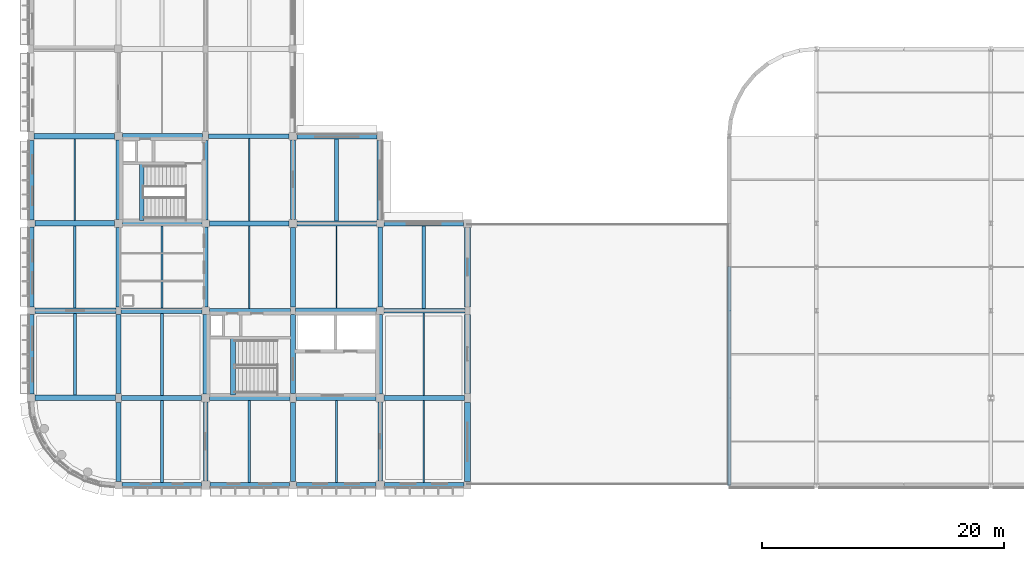
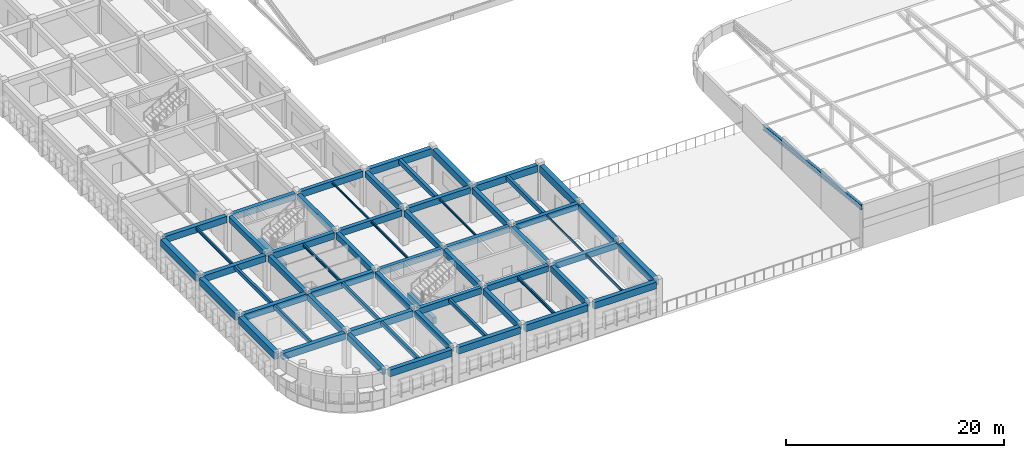
# One storey, part 17 of 103: 62 beams, 1 member.
"""IFC4 building model written with IfcOpenShell, lengths in metres."""

from ifc_helpers import new_model, si_unit, direction, frame, origin, origin_2d, place, context, subcontext, project, spatial, rectangle, i_section, extrude, material, material_profile, profile_set, type_object, element, save


model = new_model("IFC4")

# Units and contexts
model_context = context("Model", 3, precision=1e-05, world=origin(), true_north=direction((0.0, 1.0)))
body_context = subcontext(model_context, "Body", "Model", "MODEL_VIEW")
ifc_project = project(units=[si_unit("LENGTHUNIT", "METRE"), si_unit("AREAUNIT", "SQUARE_METRE"), si_unit("VOLUMEUNIT", "CUBIC_METRE"), si_unit("PLANEANGLEUNIT", "RADIAN"), si_unit("MASSUNIT", "GRAM", prefix="KILO")], contexts=[model_context])

# Site, building, storey
site_placement = place(None, origin())
site = spatial("IfcSite", under=ifc_project, at=site_placement, CompositionType="ELEMENT")
building_placement = place(site_placement, origin())
building = spatial("IfcBuilding", under=site, at=building_placement, Name="Thalmaran Polytechnic", CompositionType="ELEMENT")
storey_placement = place(building_placement, frame((0.0, 0.0, 14.39990234375)))
storey = spatial("IfcBuildingStorey", under=building, at=storey_placement, Name="L03", CompositionType="ELEMENT", Elevation=14.39990234375)

# Beams
ifc_material_1 = material(Name="Concrete C40/50", Category="concrete")
ifc_material_profile_1 = material_profile(ifc_material_1, rectangle(XDim=0.449951171875, YDim=0.72509765625, at=origin_2d()), Name="RC 450x725")
ifc_profile_set_1 = profile_set([ifc_material_profile_1], Name="Concrete C40/50")
beam_type_1 = type_object("IfcBeamType", Name="BM-RC04", PredefinedType="BEAM", material=ifc_profile_set_1)
beam_1_placement = place(storey_placement, frame((0.324951171875, 7.199951171875, 3.57763671875), z_axis=(1.0, 0.0, 0.0), x_axis=(0.0, 1.0, 0.0)))
element("IfcBeam", 1, at=beam_1_placement, inside=storey, type_object=beam_type_1, Name="Grid Beam B04 L03 X(0,1)", PredefinedType="BEAM", context=body_context, shape_type="SweptSolid", body=[
    extrude(rectangle(XDim=0.449951171875, YDim=0.72509765625, at=origin_2d()), origin(), (0.0, 0.0, 1.0), 6.625),
])
beam_2_placement = place(storey_placement, frame((0.31005859375, 14.39990234375, 3.57763671875), z_axis=(1.0, 0.0, 0.0), x_axis=(0.0, 1.0, 0.0)))
element("IfcBeam", 2, at=beam_2_placement, inside=storey, type_object=beam_type_1, Name="Grid Beam B04 L03 X(0,2)", PredefinedType="BEAM", context=body_context, shape_type="SweptSolid", body=[
    extrude(rectangle(XDim=0.449951171875, YDim=0.72509765625, at=origin_2d()), origin(), (0.0, 0.0, 1.0), 6.679931640625),
])
beam_3_placement = place(storey_placement, frame((0.300048828125, 21.60009765625, 3.57763671875), z_axis=(1.0, 0.0, 0.0), x_axis=(0.0, 1.0, 0.0)))
element("IfcBeam", 3, at=beam_3_placement, inside=storey, type_object=beam_type_1, Name="Grid Beam B04 L03 X(0,3)", PredefinedType="BEAM", context=body_context, shape_type="SweptSolid", body=[
    extrude(rectangle(XDim=0.449951171875, YDim=0.72509765625, at=origin_2d()), origin(), (0.0, 0.0, 1.0), 6.56005859375),
])
beam_4_placement = place(storey_placement, frame((0.25, 28.800048828125, 3.57763671875), z_axis=(1.0, 0.0, 0.0), x_axis=(0.0, 1.0, 0.0)))
element("IfcBeam", 4, at=beam_4_placement, inside=storey, type_object=beam_type_1, Name="Grid Beam B04 L03 X(0,4)", PredefinedType="BEAM", context=body_context, shape_type="SweptSolid", body=[
    extrude(rectangle(XDim=0.449951171875, YDim=0.72509765625, at=origin_2d()), origin(), (0.0, 0.0, 1.0), 6.625),
])
ifc_material_profile_2 = material_profile(ifc_material_1, rectangle(XDim=0.39990234375, YDim=0.699951171875, at=origin_2d()), Name="RC 400x700")
ifc_profile_set_2 = profile_set([ifc_material_profile_2], Name="Concrete C40/50")
beam_type_2 = type_object("IfcBeamType", Name="BM-RC05", PredefinedType="BEAM", material=ifc_profile_set_2)
beam_5_placement = place(storey_placement, frame((14.72509765625, 7.199951171875, 3.590087890625), z_axis=(1.0, 0.0, 0.0), x_axis=(0.0, 1.0, 0.0)))
element("IfcBeam", 5, at=beam_5_placement, inside=storey, type_object=beam_type_2, Name="Grid Beam B05 L03 X(2,1)", PredefinedType="BEAM", context=body_context, shape_type="SweptSolid", body=[
    extrude(rectangle(XDim=0.39990234375, YDim=0.699951171875, at=origin_2d()), origin(), (0.0, 0.0, 1.0), 6.625),
])
beam_6_placement = place(storey_placement, frame((14.7099609375, 14.39990234375, 3.590087890625), z_axis=(1.0, 0.0, 0.0), x_axis=(0.0, 1.0, 0.0)))
element("IfcBeam", 6, at=beam_6_placement, inside=storey, type_object=beam_type_2, Name="Grid Beam B05 L03 X(2,2)", PredefinedType="BEAM", context=body_context, shape_type="SweptSolid", body=[
    extrude(rectangle(XDim=0.39990234375, YDim=0.699951171875, at=origin_2d()), origin(), (0.0, 0.0, 1.0), 6.679931640625),
])
beam_7_placement = place(storey_placement, frame((14.699951171875, 21.60009765625, 3.590087890625), z_axis=(1.0, 0.0, 0.0), x_axis=(0.0, 1.0, 0.0)))
element("IfcBeam", 7, at=beam_7_placement, inside=storey, type_object=beam_type_2, Name="Grid Beam B05 L03 X(2,3)", PredefinedType="BEAM", context=body_context, shape_type="SweptSolid", body=[
    extrude(rectangle(XDim=0.39990234375, YDim=0.699951171875, at=origin_2d()), origin(), (0.0, 0.0, 1.0), 6.56005859375),
])
beam_8_placement = place(storey_placement, frame((14.64990234375, 28.800048828125, 3.590087890625), z_axis=(1.0, 0.0, 0.0), x_axis=(0.0, 1.0, 0.0)))
element("IfcBeam", 8, at=beam_8_placement, inside=storey, type_object=beam_type_2, Name="Grid Beam B05 L03 X(2,4)", PredefinedType="BEAM", context=body_context, shape_type="SweptSolid", body=[
    extrude(rectangle(XDim=0.39990234375, YDim=0.699951171875, at=origin_2d()), origin(), (0.0, 0.0, 1.0), 6.625),
])
ifc_material_profile_3 = material_profile(ifc_material_1, rectangle(XDim=0.39990234375, YDim=0.64990234375, at=origin_2d()), Name="RC 400x650")
ifc_profile_set_3 = profile_set([ifc_material_profile_3], Name="Concrete C40/50")
beam_type_3 = type_object("IfcBeamType", Name="BM-RC06", PredefinedType="BEAM", material=ifc_profile_set_3)
beam_9_placement = place(storey_placement, frame((29.125, 7.199951171875, 3.614990234375), z_axis=(1.0, 0.0, 0.0), x_axis=(0.0, 1.0, 0.0)))
element("IfcBeam", 9, at=beam_9_placement, inside=storey, type_object=beam_type_3, Name="Grid Beam B06 L03 X(4,1)", PredefinedType="BEAM", context=body_context, shape_type="SweptSolid", body=[
    extrude(rectangle(XDim=0.39990234375, YDim=0.64990234375, at=origin_2d()), origin(), (0.0, 0.0, 1.0), 6.625),
])
beam_10_placement = place(storey_placement, frame((29.110107421875, 14.39990234375, 3.614990234375), z_axis=(1.0, 0.0, 0.0), x_axis=(0.0, 1.0, 0.0)))
element("IfcBeam", 10, at=beam_10_placement, inside=storey, type_object=beam_type_3, Name="Grid Beam B06 L03 X(4,2)", PredefinedType="BEAM", context=body_context, shape_type="SweptSolid", body=[
    extrude(rectangle(XDim=0.39990234375, YDim=0.64990234375, at=origin_2d()), origin(), (0.0, 0.0, 1.0), 6.679931640625),
])
ifc_material_profile_4 = material_profile(ifc_material_1, rectangle(XDim=0.39990234375, YDim=0.6298828125, at=origin_2d()), Name="RC 400x630")
ifc_profile_set_4 = profile_set([ifc_material_profile_4], Name="Concrete C40/50")
beam_type_4 = type_object("IfcBeamType", Name="BM-RC07", PredefinedType="BEAM", material=ifc_profile_set_4)
beam_11_placement = place(storey_placement, frame((7.199951171875, 21.93994140625, 3.625), z_axis=(0.0, 1.0, 0.0), x_axis=(-1.0, 0.0, 0.0)))
element("IfcBeam", 11, at=beam_11_placement, inside=storey, type_object=beam_type_4, Name="Grid Beam B07 L03 Y(1,3)", PredefinedType="BEAM", context=body_context, shape_type="SweptSolid", body=[
    extrude(rectangle(XDim=0.39990234375, YDim=0.6298828125, at=origin_2d()), origin(), (0.0, 0.0, 1.0), 6.53515625),
])
beam_12_placement = place(storey_placement, frame((14.39990234375, 21.89990234375, 3.625), z_axis=(0.0, 1.0, 0.0), x_axis=(-1.0, 0.0, 0.0)))
element("IfcBeam", 12, at=beam_12_placement, inside=storey, type_object=beam_type_4, Name="Grid Beam B07 L03 Y(2,3)", PredefinedType="BEAM", context=body_context, shape_type="SweptSolid", body=[
    extrude(rectangle(XDim=0.39990234375, YDim=0.6298828125, at=origin_2d()), origin(), (0.0, 0.0, 1.0), 6.525146484375),
])
beam_13_placement = place(storey_placement, frame((21.60009765625, 21.93994140625, 3.625), z_axis=(0.0, 1.0, 0.0), x_axis=(-1.0, 0.0, 0.0)))
element("IfcBeam", 13, at=beam_13_placement, inside=storey, type_object=beam_type_4, Name="Grid Beam B07 L03 Y(3,3)", PredefinedType="BEAM", context=body_context, shape_type="SweptSolid", body=[
    extrude(rectangle(XDim=0.39990234375, YDim=0.6298828125, at=origin_2d()), origin(), (0.0, 0.0, 1.0), 6.53515625),
])
ifc_material_profile_5 = material_profile(ifc_material_1, rectangle(XDim=0.389892578125, YDim=0.68994140625, at=origin_2d()), Name="RC 390x690")
ifc_profile_set_5 = profile_set([ifc_material_profile_5], Name="Concrete C40/50")
beam_type_5 = type_object("IfcBeamType", Name="BM-RC09", PredefinedType="BEAM", material=ifc_profile_set_5)
beam_14_placement = place(storey_placement, frame((7.199951171875, 0.300048828125, 3.59521484375), z_axis=(0.0, 1.0, 0.0), x_axis=(-1.0, 0.0, 0.0)))
element("IfcBeam", 14, at=beam_14_placement, inside=storey, type_object=beam_type_5, Name="Grid Beam B09 L03 Y(1,0)", PredefinedType="BEAM", context=body_context, shape_type="SweptSolid", body=[
    extrude(rectangle(XDim=0.389892578125, YDim=0.68994140625, at=origin_2d()), origin(), (0.0, 0.0, 1.0), 6.52490234375),
])
beam_15_placement = place(storey_placement, frame((14.39990234375, 0.340087890625, 3.59521484375), z_axis=(0.0, 1.0, 0.0), x_axis=(-1.0, 0.0, 0.0)))
element("IfcBeam", 15, at=beam_15_placement, inside=storey, type_object=beam_type_5, Name="Grid Beam B09 L03 Y(2,0)", PredefinedType="BEAM", context=body_context, shape_type="SweptSolid", body=[
    extrude(rectangle(XDim=0.389892578125, YDim=0.68994140625, at=origin_2d()), origin(), (0.0, 0.0, 1.0), 6.534912109375),
])
beam_16_placement = place(storey_placement, frame((21.60009765625, 0.300048828125, 3.59521484375), z_axis=(0.0, 1.0, 0.0), x_axis=(-1.0, 0.0, 0.0)))
element("IfcBeam", 16, at=beam_16_placement, inside=storey, type_object=beam_type_5, Name="Grid Beam B09 L03 Y(3,0)", PredefinedType="BEAM", context=body_context, shape_type="SweptSolid", body=[
    extrude(rectangle(XDim=0.389892578125, YDim=0.68994140625, at=origin_2d()), origin(), (0.0, 0.0, 1.0), 6.52490234375),
])
beam_17_placement = place(storey_placement, frame((28.800048828125, 0.340087890625, 3.59521484375), z_axis=(0.0, 1.0, 0.0), x_axis=(-1.0, 0.0, 0.0)))
element("IfcBeam", 17, at=beam_17_placement, inside=storey, type_object=beam_type_5, Name="Grid Beam B09 L03 Y(4,0)", PredefinedType="BEAM", context=body_context, shape_type="SweptSolid", body=[
    extrude(rectangle(XDim=0.389892578125, YDim=0.68994140625, at=origin_2d()), origin(), (0.0, 0.0, 1.0), 6.534912109375),
])
ifc_material_profile_6 = material_profile(ifc_material_1, rectangle(XDim=0.389892578125, YDim=0.695068359375, at=origin_2d()), Name="RC 390x695")
ifc_profile_set_6 = profile_set([ifc_material_profile_6], Name="Concrete C40/50")
beam_type_6 = type_object("IfcBeamType", Name="BM-RC10", PredefinedType="BEAM", material=ifc_profile_set_6)
beam_18_placement = place(storey_placement, frame((7.199951171875, 14.719970703125, 3.592529296875), z_axis=(0.0, 1.0, 0.0), x_axis=(-1.0, 0.0, 0.0)))
element("IfcBeam", 18, at=beam_18_placement, inside=storey, type_object=beam_type_6, Name="Grid Beam B10 L03 Y(1,2)", PredefinedType="BEAM", context=body_context, shape_type="SweptSolid", body=[
    extrude(rectangle(XDim=0.389892578125, YDim=0.695068359375, at=origin_2d()), origin(), (0.0, 0.0, 1.0), 6.5400390625),
])
beam_19_placement = place(storey_placement, frame((14.39990234375, 14.7099609375, 3.592529296875), z_axis=(0.0, 1.0, 0.0), x_axis=(-1.0, 0.0, 0.0)))
element("IfcBeam", 19, at=beam_19_placement, inside=storey, type_object=beam_type_6, Name="Grid Beam B10 L03 Y(2,2)", PredefinedType="BEAM", context=body_context, shape_type="SweptSolid", body=[
    extrude(rectangle(XDim=0.389892578125, YDim=0.695068359375, at=origin_2d()), origin(), (0.0, 0.0, 1.0), 6.590087890625),
])
beam_20_placement = place(storey_placement, frame((21.60009765625, 14.719970703125, 3.592529296875), z_axis=(0.0, 1.0, 0.0), x_axis=(-1.0, 0.0, 0.0)))
element("IfcBeam", 20, at=beam_20_placement, inside=storey, type_object=beam_type_6, Name="Grid Beam B10 L03 Y(3,2)", PredefinedType="BEAM", context=body_context, shape_type="SweptSolid", body=[
    extrude(rectangle(XDim=0.389892578125, YDim=0.695068359375, at=origin_2d()), origin(), (0.0, 0.0, 1.0), 6.5400390625),
])
beam_21_placement = place(storey_placement, frame((28.800048828125, 14.7099609375, 3.592529296875), z_axis=(0.0, 1.0, 0.0), x_axis=(-1.0, 0.0, 0.0)))
element("IfcBeam", 21, at=beam_21_placement, inside=storey, type_object=beam_type_6, Name="Grid Beam B10 L03 Y(4,2)", PredefinedType="BEAM", context=body_context, shape_type="SweptSolid", body=[
    extrude(rectangle(XDim=0.389892578125, YDim=0.695068359375, at=origin_2d()), origin(), (0.0, 0.0, 1.0), 6.590087890625),
])
for number, where, z_axis, x_axis, name in (
    (22, (16.659912109375, 7.43994140625, 1.64013671875), (0.0, 1.0, 0.0), (-1.0, 0.0, 0.0), "ST1 L03 Half-Landing Trimmer Beam"),
    (23, (9.1201171875, 21.840087890625, 1.64013671875), (0.0, 1.0, 0.0), (-1.0, 0.0, 0.0), "ST3 L03 Half-Landing Trimmer Beam"),
):
    element("IfcBeam", number, at=place(storey_placement, frame(where, z_axis=z_axis, x_axis=x_axis)), inside=storey, type_object=beam_type_6, Name=name, PredefinedType="BEAM", context=body_context, shape_type="SweptSolid", body=[
        extrude(rectangle(XDim=0.389892578125, YDim=0.695068359375, at=origin_2d()), origin(), (0.0, 0.0, 1.0), 4.699951171875),
    ])
ifc_material_profile_7 = material_profile(ifc_material_1, rectangle(XDim=0.300048828125, YDim=0.5, at=origin_2d()), Name="RC 300x500")
ifc_profile_set_7 = profile_set([ifc_material_profile_7], Name="Concrete C40/50")
beam_type_7 = type_object("IfcBeamType", Name="BM-RC11", PredefinedType="JOIST", material=ifc_profile_set_7)
beam_22_placement = place(storey_placement, frame((25.199951171875, 21.81005859375, 3.690185546875), z_axis=(0.0, 1.0, 0.0), x_axis=(-1.0, 0.0, 0.0)))
element("IfcBeam", 24, at=beam_22_placement, inside=storey, type_object=beam_type_7, Name="Secondary Floor Rib RB01 L03 (3,3)", PredefinedType="JOIST", context=body_context, shape_type="SweptSolid", body=[
    extrude(rectangle(XDim=0.300048828125, YDim=0.5, at=origin_2d()), origin(), (0.0, 0.0, 1.0), 6.764892578125),
])
beam_23_placement = place(storey_placement, frame((32.39990234375, 14.60009765625, 3.690185546875), z_axis=(0.0, 1.0, 0.0), x_axis=(-1.0, 0.0, 0.0)))
element("IfcBeam", 25, at=beam_23_placement, inside=storey, type_object=beam_type_7, Name="Secondary Floor Rib RB01 L03 (4,2)", PredefinedType="JOIST", context=body_context, shape_type="SweptSolid", body=[
    extrude(rectangle(XDim=0.300048828125, YDim=0.5, at=origin_2d()), origin(), (0.0, 0.0, 1.0), 6.77490234375),
])
ifc_material_2 = material(Name="Steel S355", Category="steel")
ifc_material_profile_8 = material_profile(ifc_material_2, i_section(OverallWidth=0.159912109375, OverallDepth=0.330078125, WebThickness=0.007568359375, FlangeThickness=0.011474609375, at=origin_2d()), Name="IPE 330")
ifc_profile_set_8 = profile_set([ifc_material_profile_8], Name="Steel S355")
beam_type_8 = type_object("IfcBeamType", Name="BM-SJ02", PredefinedType="JOIST", material=ifc_profile_set_8)
beam_24_placement = place(storey_placement, frame((3.60009765625, 21.824951171875, 3.775146484375), z_axis=(0.0, 1.0, 0.0), x_axis=(-1.0, 0.0, 0.0)))
element("IfcBeam", 26, at=beam_24_placement, inside=storey, type_object=beam_type_8, Name="Secondary Floor Rib SJ02 L03 (0,3)", PredefinedType="JOIST", context=body_context, shape_type="SweptSolid", body=[
    extrude(i_section(OverallWidth=0.159912109375, OverallDepth=0.330078125, WebThickness=0.007568359375, FlangeThickness=0.011474609375, at=origin_2d()), origin(), (0.0, 0.0, 1.0), 6.75),
])
beam_25_placement = place(storey_placement, frame((10.800048828125, 14.6201171875, 3.775146484375), z_axis=(0.0, 1.0, 0.0), x_axis=(-1.0, 0.0, 0.0)))
element("IfcBeam", 27, at=beam_25_placement, inside=storey, type_object=beam_type_8, Name="Secondary Floor Rib SJ02 L03 (1,2)", PredefinedType="JOIST", context=body_context, shape_type="SweptSolid", body=[
    extrude(i_section(OverallWidth=0.159912109375, OverallDepth=0.330078125, WebThickness=0.007568359375, FlangeThickness=0.011474609375, at=origin_2d()), origin(), (0.0, 0.0, 1.0), 6.759765625),
])
beam_26_placement = place(storey_placement, frame((25.199951171875, 0.22509765625, 3.775146484375), z_axis=(0.0, 1.0, 0.0), x_axis=(-1.0, 0.0, 0.0)))
element("IfcBeam", 28, at=beam_26_placement, inside=storey, type_object=beam_type_8, Name="Secondary Floor Rib SJ02 L03 (3,0)", PredefinedType="JOIST", context=body_context, shape_type="SweptSolid", body=[
    extrude(i_section(OverallWidth=0.159912109375, OverallDepth=0.330078125, WebThickness=0.007568359375, FlangeThickness=0.011474609375, at=origin_2d()), origin(), (0.0, 0.0, 1.0), 6.764892578125),
])
ifc_material_profile_9 = material_profile(ifc_material_2, i_section(OverallWidth=0.135009765625, OverallDepth=0.27001953125, WebThickness=0.006591796875, FlangeThickness=0.01025390625, at=origin_2d()), Name="IPE 270")
ifc_profile_set_9 = profile_set([ifc_material_profile_9], Name="Steel S355")
beam_type_9 = type_object("IfcBeamType", Name="BM-SJ03", PredefinedType="JOIST", material=ifc_profile_set_9)
beam_27_placement = place(storey_placement, frame((18.0, 14.60009765625, 3.80517578125), z_axis=(0.0, 1.0, 0.0), x_axis=(-1.0, 0.0, 0.0)))
element("IfcBeam", 29, at=beam_27_placement, inside=storey, type_object=beam_type_9, Name="Secondary Floor Rib SJ03 L03 (2,2)", PredefinedType="JOIST", context=body_context, shape_type="SweptSolid", body=[
    extrude(i_section(OverallWidth=0.135009765625, OverallDepth=0.27001953125, WebThickness=0.006591796875, FlangeThickness=0.01025390625, at=origin_2d()), origin(), (0.0, 0.0, 1.0), 6.7998046875),
])
beam_28_placement = place(storey_placement, frame((32.39990234375, 0.22509765625, 3.80517578125), z_axis=(0.0, 1.0, 0.0), x_axis=(-1.0, 0.0, 0.0)))
element("IfcBeam", 30, at=beam_28_placement, inside=storey, type_object=beam_type_9, Name="Secondary Floor Rib SJ03 L03 (4,0)", PredefinedType="JOIST", context=body_context, shape_type="SweptSolid", body=[
    extrude(i_section(OverallWidth=0.135009765625, OverallDepth=0.27001953125, WebThickness=0.006591796875, FlangeThickness=0.01025390625, at=origin_2d()), origin(), (0.0, 0.0, 1.0), 6.77490234375),
])
ifc_material_profile_10 = material_profile(ifc_material_2, i_section(OverallWidth=0.110107421875, OverallDepth=0.219970703125, WebThickness=0.005859375, FlangeThickness=0.00927734375, at=origin_2d()), Name="IPE 220")
ifc_profile_set_10 = profile_set([ifc_material_profile_10], Name="Steel S355")
beam_type_10 = type_object("IfcBeamType", Name="BM-SJ04", PredefinedType="JOIST", material=ifc_profile_set_10)
beam_29_placement = place(storey_placement, frame((18.0, 21.800048828125, 3.830078125), z_axis=(0.0, 1.0, 0.0), x_axis=(-1.0, 0.0, 0.0)))
element("IfcBeam", 31, at=beam_29_placement, inside=storey, type_object=beam_type_10, Name="Secondary Floor Rib SJ04 L03 (2,3)", PredefinedType="JOIST", context=body_context, shape_type="SweptSolid", body=[
    extrude(i_section(OverallWidth=0.110107421875, OverallDepth=0.219970703125, WebThickness=0.005859375, FlangeThickness=0.00927734375, at=origin_2d()), origin(), (0.0, 0.0, 1.0), 6.800048828125),
])
beam_30_placement = place(storey_placement, frame((25.199951171875, 14.610107421875, 3.830078125), z_axis=(0.0, 1.0, 0.0), x_axis=(-1.0, 0.0, 0.0)))
element("IfcBeam", 32, at=beam_30_placement, inside=storey, type_object=beam_type_10, Name="Secondary Floor Rib SJ04 L03 (3,2)", PredefinedType="JOIST", context=body_context, shape_type="SweptSolid", body=[
    extrude(i_section(OverallWidth=0.110107421875, OverallDepth=0.219970703125, WebThickness=0.005859375, FlangeThickness=0.00927734375, at=origin_2d()), origin(), (0.0, 0.0, 1.0), 6.77978515625),
])
beam_31_placement = place(storey_placement, frame((32.39990234375, 7.39990234375, 3.830078125), z_axis=(0.0, 1.0, 0.0), x_axis=(-1.0, 0.0, 0.0)))
element("IfcBeam", 33, at=beam_31_placement, inside=storey, type_object=beam_type_10, Name="Secondary Floor Rib SJ04 L03 (4,1)", PredefinedType="JOIST", context=body_context, shape_type="SweptSolid", body=[
    extrude(i_section(OverallWidth=0.110107421875, OverallDepth=0.219970703125, WebThickness=0.005859375, FlangeThickness=0.00927734375, at=origin_2d()), origin(), (0.0, 0.0, 1.0), 6.800048828125),
])
ifc_material_profile_11 = material_profile(ifc_material_1, rectangle(XDim=0.449951171875, YDim=0.7548828125, at=origin_2d()), Name="RC 450x755")
ifc_profile_set_11 = profile_set([ifc_material_profile_11], Name="Concrete C40/50")
beam_type_11 = type_object("IfcBeamType", Name="BM-SP02", PredefinedType="SPANDREL", material=ifc_profile_set_11)
for number, where, z_axis, x_axis, name in (
    (34, (7.5, 0.0, 3.5625), (1.0, 0.0, 0.0), (0.0, 1.0, 0.0), "Grid Beam SP02 L03 X(1,0)"),
    (35, (14.739990234375, 0.0, 3.5625), (1.0, 0.0, 0.0), (0.0, 1.0, 0.0), "Grid Beam SP02 L03 X(2,0)"),
    (36, (21.89990234375, 0.0, 3.5625), (1.0, 0.0, 0.0), (0.0, 1.0, 0.0), "Grid Beam SP02 L03 X(3,0)"),
):
    element("IfcBeam", number, at=place(storey_placement, frame(where, z_axis=z_axis, x_axis=x_axis)), inside=storey, type_object=beam_type_11, Name=name, PredefinedType="SPANDREL", context=body_context, shape_type="SweptSolid", body=[
        extrude(rectangle(XDim=0.449951171875, YDim=0.7548828125, at=origin_2d()), origin(), (0.0, 0.0, 1.0), 6.56005859375),
    ])
beam_32_placement = place(storey_placement, frame((21.925048828125, 28.800048828125, 3.5625), z_axis=(1.0, 0.0, 0.0), x_axis=(0.0, 1.0, 0.0)))
element("IfcBeam", 37, at=beam_32_placement, inside=storey, type_object=beam_type_11, Name="Grid Beam SP02 L03 X(3,4)", PredefinedType="SPANDREL", context=body_context, shape_type="SweptSolid", body=[
    extrude(rectangle(XDim=0.449951171875, YDim=0.7548828125, at=origin_2d()), origin(), (0.0, 0.0, 1.0), 6.625),
])
beam_33_placement = place(storey_placement, frame((29.139892578125, 0.0, 3.5625), z_axis=(1.0, 0.0, 0.0), x_axis=(0.0, 1.0, 0.0)))
element("IfcBeam", 38, at=beam_33_placement, inside=storey, type_object=beam_type_11, Name="Grid Beam SP02 L03 X(4,0)", PredefinedType="SPANDREL", context=body_context, shape_type="SweptSolid", body=[
    extrude(rectangle(XDim=0.449951171875, YDim=0.7548828125, at=origin_2d()), origin(), (0.0, 0.0, 1.0), 6.56005859375),
])
beam_34_placement = place(storey_placement, frame((29.10009765625, 21.60009765625, 3.5625), z_axis=(1.0, 0.0, 0.0), x_axis=(0.0, 1.0, 0.0)))
element("IfcBeam", 39, at=beam_34_placement, inside=storey, type_object=beam_type_11, Name="Grid Beam SP02 L03 X(4,3)", PredefinedType="SPANDREL", context=body_context, shape_type="SweptSolid", body=[
    extrude(rectangle(XDim=0.449951171875, YDim=0.7548828125, at=origin_2d()), origin(), (0.0, 0.0, 1.0), 6.559814453125),
])
ifc_material_profile_12 = material_profile(ifc_material_1, rectangle(XDim=0.5, YDim=0.804931640625, at=origin_2d()), Name="RC 500x805")
ifc_profile_set_12 = profile_set([ifc_material_profile_12], Name="Concrete C40/50")
beam_type_12 = type_object("IfcBeamType", Name="BM-SP03", PredefinedType="SPANDREL", material=ifc_profile_set_12)
beam_35_placement = place(storey_placement, frame((0.0, 7.52490234375, 3.53759765625), z_axis=(0.0, 1.0, 0.0), x_axis=(-1.0, 0.0, 0.0)))
element("IfcBeam", 40, at=beam_35_placement, inside=storey, type_object=beam_type_12, Name="Grid Beam SP03 L03 Y(0,1)", PredefinedType="SPANDREL", context=body_context, shape_type="SweptSolid", body=[
    extrude(rectangle(XDim=0.5, YDim=0.804931640625, at=origin_2d()), origin(), (0.0, 0.0, 1.0), 6.565185546875),
])
beam_36_placement = place(storey_placement, frame((0.0, 14.7099609375, 3.53759765625), z_axis=(0.0, 1.0, 0.0), x_axis=(-1.0, 0.0, 0.0)))
element("IfcBeam", 41, at=beam_36_placement, inside=storey, type_object=beam_type_12, Name="Grid Beam SP03 L03 Y(0,2)", PredefinedType="SPANDREL", context=body_context, shape_type="SweptSolid", body=[
    extrude(rectangle(XDim=0.5, YDim=0.804931640625, at=origin_2d()), origin(), (0.0, 0.0, 1.0), 6.590087890625),
])
for number, where, z_axis, x_axis, name in (
    (42, (0.0, 21.89990234375, 3.53759765625), (0.0, 1.0, 0.0), (-1.0, 0.0, 0.0), "Grid Beam SP03 L03 Y(0,3)"),
    (43, (28.800048828125, 21.89990234375, 3.53759765625), (0.0, 1.0, 0.0), (-1.0, 0.0, 0.0), "Grid Beam SP03 L03 Y(4,3)"),
):
    element("IfcBeam", number, at=place(storey_placement, frame(where, z_axis=z_axis, x_axis=x_axis)), inside=storey, type_object=beam_type_12, Name=name, PredefinedType="SPANDREL", context=body_context, shape_type="SweptSolid", body=[
        extrude(rectangle(XDim=0.5, YDim=0.804931640625, at=origin_2d()), origin(), (0.0, 0.0, 1.0), 6.525146484375),
    ])
beam_37_placement = place(storey_placement, frame((36.0, 0.300048828125, 3.53759765625), z_axis=(0.0, 1.0, 0.0), x_axis=(-1.0, 0.0, 0.0)))
element("IfcBeam", 44, at=beam_37_placement, inside=storey, type_object=beam_type_12, Name="Grid Beam SP03 L03 Y(5,0)", PredefinedType="SPANDREL", context=body_context, shape_type="SweptSolid", body=[
    extrude(rectangle(XDim=0.5, YDim=0.804931640625, at=origin_2d()), origin(), (0.0, 0.0, 1.0), 6.52490234375),
])
beam_38_placement = place(storey_placement, frame((36.0, 7.574951171875, 3.53759765625), z_axis=(0.0, 1.0, 0.0), x_axis=(-1.0, 0.0, 0.0)))
element("IfcBeam", 45, at=beam_38_placement, inside=storey, type_object=beam_type_12, Name="Grid Beam SP03 L03 Y(5,1)", PredefinedType="SPANDREL", context=body_context, shape_type="SweptSolid", body=[
    extrude(rectangle(XDim=0.5, YDim=0.804931640625, at=origin_2d()), origin(), (0.0, 0.0, 1.0), 6.505126953125),
])
beam_39_placement = place(storey_placement, frame((36.0, 14.719970703125, 3.53759765625), z_axis=(0.0, 1.0, 0.0), x_axis=(-1.0, 0.0, 0.0)))
element("IfcBeam", 46, at=beam_39_placement, inside=storey, type_object=beam_type_12, Name="Grid Beam SP03 L03 Y(5,2)", PredefinedType="SPANDREL", context=body_context, shape_type="SweptSolid", body=[
    extrude(rectangle(XDim=0.5, YDim=0.804931640625, at=origin_2d()), origin(), (0.0, 0.0, 1.0), 6.5400390625),
])
ifc_material_profile_13 = material_profile(ifc_material_1, rectangle(XDim=0.43994140625, YDim=0.719970703125, at=origin_2d()), Name="RC 440x720")
ifc_profile_set_13 = profile_set([ifc_material_profile_13], Name="Concrete C40/50")
beam_type_13 = type_object("IfcBeamType", Name="BM-ZB03", PredefinedType="BEAM", material=ifc_profile_set_13)
beam_40_placement = place(storey_placement, frame((7.449951171875, 7.199951171875, 3.580078125), z_axis=(1.0, 0.0, 0.0), x_axis=(0.0, 1.0, 0.0)))
element("IfcBeam", 47, at=beam_40_placement, inside=storey, type_object=beam_type_13, Name="Grid Beam ZB03 L03 X(1,1)", PredefinedType="BEAM", context=body_context, shape_type="SweptSolid", body=[
    extrude(rectangle(XDim=0.43994140625, YDim=0.719970703125, at=origin_2d()), origin(), (0.0, 0.0, 1.0), 6.625),
])
beam_41_placement = place(storey_placement, frame((7.409912109375, 14.39990234375, 3.580078125), z_axis=(1.0, 0.0, 0.0), x_axis=(0.0, 1.0, 0.0)))
element("IfcBeam", 48, at=beam_41_placement, inside=storey, type_object=beam_type_13, Name="Grid Beam ZB03 L03 X(1,2)", PredefinedType="BEAM", context=body_context, shape_type="SweptSolid", body=[
    extrude(rectangle(XDim=0.43994140625, YDim=0.719970703125, at=origin_2d()), origin(), (0.0, 0.0, 1.0), 6.68017578125),
])
beam_42_placement = place(storey_placement, frame((7.5400390625, 21.60009765625, 3.580078125), z_axis=(1.0, 0.0, 0.0), x_axis=(0.0, 1.0, 0.0)))
element("IfcBeam", 49, at=beam_42_placement, inside=storey, type_object=beam_type_13, Name="Grid Beam ZB03 L03 X(1,3)", PredefinedType="BEAM", context=body_context, shape_type="SweptSolid", body=[
    extrude(rectangle(XDim=0.43994140625, YDim=0.719970703125, at=origin_2d()), origin(), (0.0, 0.0, 1.0), 6.56005859375),
])
beam_43_placement = place(storey_placement, frame((7.52490234375, 28.800048828125, 3.580078125), z_axis=(1.0, 0.0, 0.0), x_axis=(0.0, 1.0, 0.0)))
element("IfcBeam", 50, at=beam_43_placement, inside=storey, type_object=beam_type_13, Name="Grid Beam ZB03 L03 X(1,4)", PredefinedType="BEAM", context=body_context, shape_type="SweptSolid", body=[
    extrude(rectangle(XDim=0.43994140625, YDim=0.719970703125, at=origin_2d()), origin(), (0.0, 0.0, 1.0), 6.625),
])
ifc_material_profile_14 = material_profile(ifc_material_1, rectangle(XDim=0.419921875, YDim=0.659912109375, at=origin_2d()), Name="RC 420x660")
ifc_profile_set_14 = profile_set([ifc_material_profile_14], Name="Concrete C40/50")
beam_type_14 = type_object("IfcBeamType", Name="BM-ZB04", PredefinedType="BEAM", material=ifc_profile_set_14)
beam_44_placement = place(storey_placement, frame((21.85009765625, 7.199951171875, 3.610107421875), z_axis=(1.0, 0.0, 0.0), x_axis=(0.0, 1.0, 0.0)))
element("IfcBeam", 51, at=beam_44_placement, inside=storey, type_object=beam_type_14, Name="Grid Beam ZB04 L03 X(3,1)", PredefinedType="BEAM", context=body_context, shape_type="SweptSolid", body=[
    extrude(rectangle(XDim=0.419921875, YDim=0.659912109375, at=origin_2d()), origin(), (0.0, 0.0, 1.0), 6.625),
])
beam_45_placement = place(storey_placement, frame((21.81005859375, 14.39990234375, 3.610107421875), z_axis=(1.0, 0.0, 0.0), x_axis=(0.0, 1.0, 0.0)))
element("IfcBeam", 52, at=beam_45_placement, inside=storey, type_object=beam_type_14, Name="Grid Beam ZB04 L03 X(3,2)", PredefinedType="BEAM", context=body_context, shape_type="SweptSolid", body=[
    extrude(rectangle(XDim=0.419921875, YDim=0.659912109375, at=origin_2d()), origin(), (0.0, 0.0, 1.0), 6.679931640625),
])
beam_46_placement = place(storey_placement, frame((21.93994140625, 21.60009765625, 3.610107421875), z_axis=(1.0, 0.0, 0.0), x_axis=(0.0, 1.0, 0.0)))
element("IfcBeam", 53, at=beam_46_placement, inside=storey, type_object=beam_type_14, Name="Grid Beam ZB04 L03 X(3,3)", PredefinedType="BEAM", context=body_context, shape_type="SweptSolid", body=[
    extrude(rectangle(XDim=0.419921875, YDim=0.659912109375, at=origin_2d()), origin(), (0.0, 0.0, 1.0), 6.56005859375),
])
ifc_material_profile_15 = material_profile(ifc_material_1, rectangle(XDim=0.39990234375, YDim=0.695068359375, at=origin_2d()), Name="RC 400x695")
ifc_profile_set_15 = profile_set([ifc_material_profile_15], Name="Concrete C40/50")
beam_type_15 = type_object("IfcBeamType", Name="BM-ZB08", PredefinedType="BEAM", material=ifc_profile_set_15)
beam_47_placement = place(storey_placement, frame((7.199951171875, 7.574951171875, 3.592529296875), z_axis=(0.0, 1.0, 0.0), x_axis=(-1.0, 0.0, 0.0)))
element("IfcBeam", 54, at=beam_47_placement, inside=storey, type_object=beam_type_15, Name="Grid Beam ZB08 L03 Y(1,1)", PredefinedType="BEAM", context=body_context, shape_type="SweptSolid", body=[
    extrude(rectangle(XDim=0.39990234375, YDim=0.695068359375, at=origin_2d()), origin(), (0.0, 0.0, 1.0), 6.505126953125),
])
beam_48_placement = place(storey_placement, frame((14.39990234375, 7.52490234375, 3.592529296875), z_axis=(0.0, 1.0, 0.0), x_axis=(-1.0, 0.0, 0.0)))
element("IfcBeam", 55, at=beam_48_placement, inside=storey, type_object=beam_type_15, Name="Grid Beam ZB08 L03 Y(2,1)", PredefinedType="BEAM", context=body_context, shape_type="SweptSolid", body=[
    extrude(rectangle(XDim=0.39990234375, YDim=0.695068359375, at=origin_2d()), origin(), (0.0, 0.0, 1.0), 6.565185546875),
])
beam_49_placement = place(storey_placement, frame((21.60009765625, 7.574951171875, 3.592529296875), z_axis=(0.0, 1.0, 0.0), x_axis=(-1.0, 0.0, 0.0)))
element("IfcBeam", 56, at=beam_49_placement, inside=storey, type_object=beam_type_15, Name="Grid Beam ZB08 L03 Y(3,1)", PredefinedType="BEAM", context=body_context, shape_type="SweptSolid", body=[
    extrude(rectangle(XDim=0.39990234375, YDim=0.695068359375, at=origin_2d()), origin(), (0.0, 0.0, 1.0), 6.505126953125),
])
beam_50_placement = place(storey_placement, frame((28.800048828125, 7.52490234375, 3.592529296875), z_axis=(0.0, 1.0, 0.0), x_axis=(-1.0, 0.0, 0.0)))
element("IfcBeam", 57, at=beam_50_placement, inside=storey, type_object=beam_type_15, Name="Grid Beam ZB08 L03 Y(4,1)", PredefinedType="BEAM", context=body_context, shape_type="SweptSolid", body=[
    extrude(rectangle(XDim=0.39990234375, YDim=0.695068359375, at=origin_2d()), origin(), (0.0, 0.0, 1.0), 6.565185546875),
])
ifc_material_profile_16 = material_profile(ifc_material_1, rectangle(XDim=0.25, YDim=0.419921875, at=origin_2d()), Name="RC 250x420")
ifc_profile_set_16 = profile_set([ifc_material_profile_16], Name="Concrete C40/50")
beam_type_16 = type_object("IfcBeamType", Name="BM-ZJ03", PredefinedType="JOIST", material=ifc_profile_set_16)
beam_51_placement = place(storey_placement, frame((3.60009765625, 7.425048828125, 3.72998046875), z_axis=(0.0, 1.0, 0.0), x_axis=(-1.0, 0.0, 0.0)))
element("IfcBeam", 58, at=beam_51_placement, inside=storey, type_object=beam_type_16, Name="Secondary Floor Rib ZJ03 L03 (0,1)", PredefinedType="JOIST", context=body_context, shape_type="SweptSolid", body=[
    extrude(rectangle(XDim=0.25, YDim=0.419921875, at=origin_2d()), origin(), (0.0, 0.0, 1.0), 6.75),
])
beam_52_placement = place(storey_placement, frame((10.800048828125, 0.22509765625, 3.72998046875), z_axis=(0.0, 1.0, 0.0), x_axis=(-1.0, 0.0, 0.0)))
element("IfcBeam", 59, at=beam_52_placement, inside=storey, type_object=beam_type_16, Name="Secondary Floor Rib ZJ03 L03 (1,0)", PredefinedType="JOIST", context=body_context, shape_type="SweptSolid", body=[
    extrude(rectangle(XDim=0.25, YDim=0.419921875, at=origin_2d()), origin(), (0.0, 0.0, 1.0), 6.7548828125),
])
ifc_material_profile_17 = material_profile(ifc_material_1, rectangle(XDim=0.239990234375, YDim=0.39990234375, at=origin_2d()), Name="RC 240x400")
ifc_profile_set_17 = profile_set([ifc_material_profile_17], Name="Concrete C40/50")
beam_type_17 = type_object("IfcBeamType", Name="BM-ZJ04", PredefinedType="JOIST", material=ifc_profile_set_17)
beam_53_placement = place(storey_placement, frame((3.60009765625, 14.625, 3.739990234375), z_axis=(0.0, 1.0, 0.0), x_axis=(-1.0, 0.0, 0.0)))
element("IfcBeam", 60, at=beam_53_placement, inside=storey, type_object=beam_type_17, Name="Secondary Floor Rib ZJ04 L03 (0,2)", PredefinedType="JOIST", context=body_context, shape_type="SweptSolid", body=[
    extrude(rectangle(XDim=0.239990234375, YDim=0.39990234375, at=origin_2d()), origin(), (0.0, 0.0, 1.0), 6.75),
])
beam_54_placement = place(storey_placement, frame((10.800048828125, 7.419921875, 3.739990234375), z_axis=(0.0, 1.0, 0.0), x_axis=(-1.0, 0.0, 0.0)))
element("IfcBeam", 61, at=beam_54_placement, inside=storey, type_object=beam_type_17, Name="Secondary Floor Rib ZJ04 L03 (1,1)", PredefinedType="JOIST", context=body_context, shape_type="SweptSolid", body=[
    extrude(rectangle(XDim=0.239990234375, YDim=0.39990234375, at=origin_2d()), origin(), (0.0, 0.0, 1.0), 6.760009765625),
])
beam_55_placement = place(storey_placement, frame((18.0, 0.22509765625, 3.739990234375), z_axis=(0.0, 1.0, 0.0), x_axis=(-1.0, 0.0, 0.0)))
element("IfcBeam", 62, at=beam_55_placement, inside=storey, type_object=beam_type_17, Name="Secondary Floor Rib ZJ04 L03 (2,0)", PredefinedType="JOIST", context=body_context, shape_type="SweptSolid", body=[
    extrude(rectangle(XDim=0.239990234375, YDim=0.39990234375, at=origin_2d()), origin(), (0.0, 0.0, 1.0), 6.77490234375),
])

# Member
ifc_material_profile_18 = material_profile(ifc_material_2, i_section(OverallWidth=0.300048828125, OverallDepth=0.550048828125, WebThickness=0.014892578125, FlangeThickness=0.029052734375, at=origin_2d()), Name="HEB 550")
ifc_profile_set_18 = profile_set([ifc_material_profile_18], Name="Steel S355")
member_type = type_object("IfcMemberType", Name="MB-RAF1", PredefinedType="RAFTER", material=ifc_profile_set_18)
member_placement = place(storey_placement, frame((57.60009765625, 0.0, 4.550048828125), z_axis=(0.0, 0.994329747654, -0.10634073975), x_axis=(-1.0, 0.0, 0.0)))
element("IfcMember", 63, at=member_placement, inside=storey, type_object=member_type, Name="Lecture Raked Roof Rafter South G08", PredefinedType="RAFTER", context=body_context, shape_type="SweptSolid", body=[
    extrude(i_section(OverallWidth=0.300048828125, OverallDepth=0.550048828125, WebThickness=0.014892578125, FlangeThickness=0.029052734375, at=origin_2d()), origin(), (0.0, 0.0, 1.0), 18.1025390625),
])

save(model, "model.ifc")
